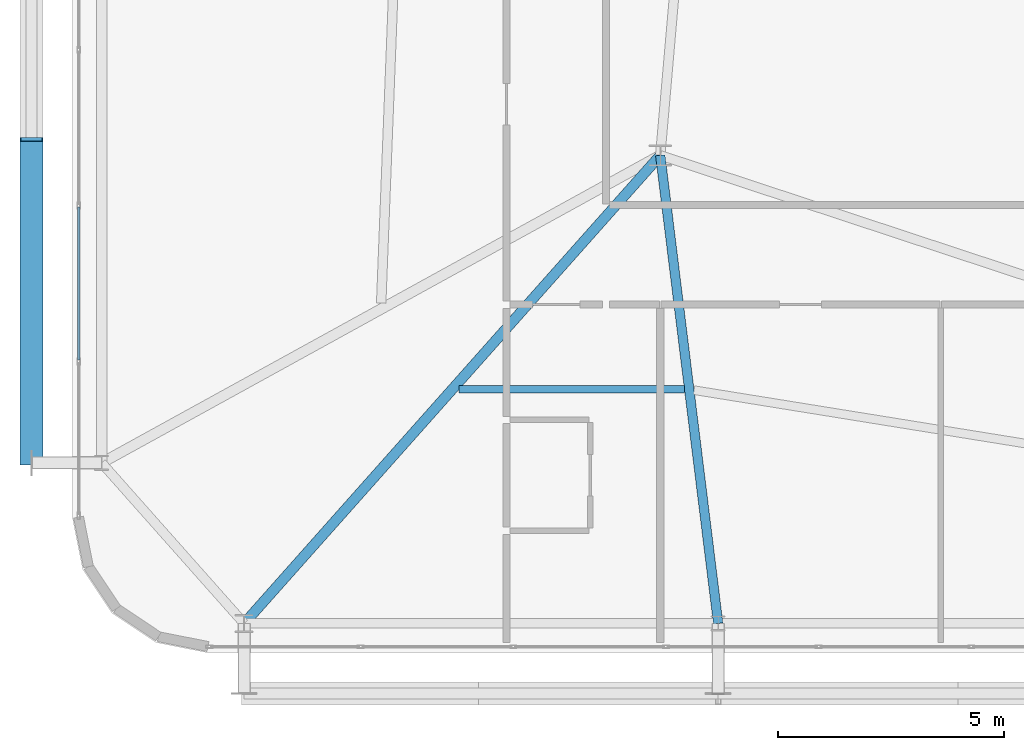
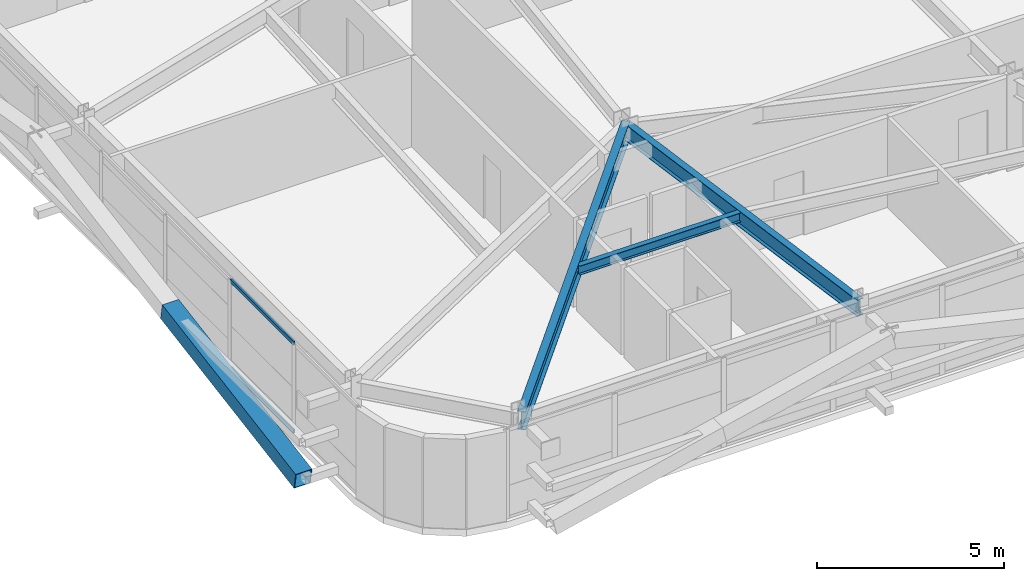
# One storey, part 7 of 58: 3 beams, 3 members, 1 element without a shape of its own.
"""IFC4 building model written with IfcOpenShell, lengths in metres."""

import ifcopenshell
import ifcopenshell.guid

model = None  # the IFC model being written
_history = None  # IfcOwnerHistory: only IFC2X3 demands one
_inside = {}  # id of a spatial element -> (the spatial element, [elements in it])
_under = {}  # id of a project, library or spatial element -> (it, [spatial elements below it])
_declared = {}  # id of a project -> (the project, [libraries it declares])
_typed = {}  # id of a type object -> (the type object, [elements of that type])
_made_of = {}  # id of a material, layer set ... -> (it, [elements and type objects made of it])


def new_model(schema):
    """Start an empty IFC model of exactly this schema.

    Asked for "IFC4X3", IfcOpenShell would pick the latest addendum, in which some entities
    have other attributes; the version numbers below select the first issue.
    IFC2X3 requires an IfcOwnerHistory on every rooted entity: one is made here for all.
    """
    global model, _history
    if schema == "IFC4X3":
        model = ifcopenshell.file(schema_version=(4, 3, 0, 0))
    else:
        model = ifcopenshell.file(schema=schema)
    _inside.clear()
    _under.clear()
    _declared.clear()
    _typed.clear()
    _made_of.clear()
    _history = None
    if model.schema == "IFC2X3":
        org = make("IfcOrganization", Name="unknown")
        user = make(
            "IfcPersonAndOrganization",
            ThePerson=make("IfcPerson", FamilyName="unknown"),
            TheOrganization=org,
        )
        app = make(
            "IfcApplication",
            ApplicationDeveloper=org,
            Version="unknown",
            ApplicationFullName="unknown",
            ApplicationIdentifier="unknown",
        )
        _history = make(
            "IfcOwnerHistory",
            OwningUser=user,
            OwningApplication=app,
            ChangeAction="ADDED",
            CreationDate=0,
        )
    return model


def make(cls, **values):
    """One entity of the class cls with the attributes given. An attribute that is None is left unset."""
    return model.create_entity(
        cls, **{name: value for name, value in values.items() if value is not None}
    )


def rooted(cls, **values):
    """An entity with a GlobalId (a new one), such as an element, a storey or a relation."""
    return make(cls, GlobalId=ifcopenshell.guid.new(), OwnerHistory=_history, **values)


def si_unit(unit_type, name, prefix=None):
    """IfcSIUnit, for example si_unit("LENGTHUNIT", "METRE", prefix="MILLI")."""
    return make("IfcSIUnit", UnitType=unit_type, Prefix=prefix, Name=name)


def assignment(units):
    """IfcUnitAssignment: the units of a project."""
    return None if units is None else make("IfcUnitAssignment", Units=units)


def point(xyz):
    """IfcCartesianPoint."""
    return None if xyz is None else make("IfcCartesianPoint", Coordinates=xyz)


def direction(xyz):
    """IfcDirection."""
    return None if xyz is None else make("IfcDirection", DirectionRatios=xyz)


def frame(location, z_axis=None, x_axis=None):
    """IfcAxis2Placement3D, a coordinate frame: its origin and axes. An axis left out is left unset."""
    return make(
        "IfcAxis2Placement3D",
        Location=point(location),
        Axis=direction(z_axis),
        RefDirection=direction(x_axis),
    )


def frame_2d(location, x_axis=None):
    """IfcAxis2Placement2D, a coordinate frame in the plane: its origin and x axis."""
    return make(
        "IfcAxis2Placement2D", Location=point(location), RefDirection=direction(x_axis)
    )


def origin():
    """The frame at (0, 0, 0) with its axes left unset."""
    return frame((0.0, 0.0, 0.0))


def origin_2d():
    """The frame at (0, 0) in the plane with its x axis left unset."""
    return frame_2d((0.0, 0.0))


def place(relative_to, where):
    """IfcLocalPlacement: puts the frame where relative to a parent placement (None: the world)."""
    return make(
        "IfcLocalPlacement", PlacementRelTo=relative_to, RelativePlacement=where
    )


def context(
    kind, dimensions, precision=None, world=None, true_north=None, identifier=None
):
    """IfcGeometricRepresentationContext, for example the 3D "Model" context."""
    return make(
        "IfcGeometricRepresentationContext",
        ContextIdentifier=identifier,
        ContextType=kind,
        CoordinateSpaceDimension=dimensions,
        Precision=precision,
        WorldCoordinateSystem=world,
        TrueNorth=true_north,
    )


def subcontext(parent, identifier, kind, view, scale=None):
    """IfcGeometricRepresentationSubContext, for example "Body" below "Model"."""
    return make(
        "IfcGeometricRepresentationSubContext",
        ContextIdentifier=identifier,
        ContextType=kind,
        ParentContext=parent,
        TargetScale=scale,
        TargetView=view,
    )


def project(units=None, contexts=None):
    """IfcProject with its units and contexts."""
    return rooted(
        "IfcProject",
        Name="project",
        RepresentationContexts=contexts,
        UnitsInContext=assignment(units),
    )


def spatial(cls, under=None, at=None, **own):
    """A site, building, storey or space (cls), placed at a placement, below another one or the project."""
    s = rooted(cls, ObjectPlacement=at, **own)
    if under is not None:
        _under.setdefault(under.id(), (under, []))[1].append(s)
    return s


def profile(cls, at=None, kind="AREA", **sizes):
    """A parametric profile (cls). Its sizes go by their IFC names, for example OverallWidth=200.0."""
    return make(cls, ProfileType=kind, Position=at, **sizes)


def hollow_rectangle(**sizes):
    """IfcRectangleHollowProfileDef."""
    return profile("IfcRectangleHollowProfileDef", **sizes)


def i_section(**sizes):
    """IfcIShapeProfileDef."""
    return profile("IfcIShapeProfileDef", **sizes)


def extrude(swept, where, along, depth):
    """IfcExtrudedAreaSolid: the profile swept, set in the frame where, extruded along a direction by depth."""
    return make(
        "IfcExtrudedAreaSolid",
        SweptArea=swept,
        Position=where,
        ExtrudedDirection=direction(along),
        Depth=depth,
    )


def shape(context_of_items, identifier, shape_type, items):
    """IfcShapeRepresentation: the items that make up one representation, for example the "Body"."""
    return make(
        "IfcShapeRepresentation",
        ContextOfItems=context_of_items,
        RepresentationIdentifier=identifier,
        RepresentationType=shape_type,
        Items=items,
    )


def source(mapping_origin, context_of_items, identifier, shape_type, items):
    """IfcRepresentationMap: a shape defined once, which mapped items show again and again."""
    return make(
        "IfcRepresentationMap",
        MappingOrigin=mapping_origin,
        MappedRepresentation=shape(context_of_items, identifier, shape_type, items),
    )


def transform(
    local_origin,
    x_axis=None,
    y_axis=None,
    z_axis=None,
    scale=None,
    scale2=None,
    scale3=None,
    uniform=True,
):
    """IfcCartesianTransformationOperator3D, or its non-uniform kind. x_axis, y_axis, z_axis: its Axis1, 2, 3."""
    if uniform:
        return make(
            "IfcCartesianTransformationOperator3D",
            Axis1=direction(x_axis),
            Axis2=direction(y_axis),
            LocalOrigin=point(local_origin),
            Scale=scale,
            Axis3=direction(z_axis),
        )
    return make(
        "IfcCartesianTransformationOperator3DnonUniform",
        Axis1=direction(x_axis),
        Axis2=direction(y_axis),
        LocalOrigin=point(local_origin),
        Scale=scale,
        Axis3=direction(z_axis),
        Scale2=scale2,
        Scale3=scale3,
    )


def mapped(mapping_source, mapping_target):
    """IfcMappedItem: shows the shape of a source again, moved by a transform."""
    return make(
        "IfcMappedItem", MappingSource=mapping_source, MappingTarget=mapping_target
    )


def material(Name=None, Category=None):
    """IfcMaterial."""
    return make("IfcMaterial", Name=Name, Category=Category)


def layer(
    of_material, thickness, ventilated=None, Name=None, Category=None, Priority=None
):
    """IfcMaterialLayer: one layer of a wall or slab, of a material (None: an air gap)."""
    return make(
        "IfcMaterialLayer",
        Material=of_material,
        LayerThickness=thickness,
        IsVentilated=ventilated,
        Name=Name,
        Category=Category,
        Priority=Priority,
    )


def layer_set(layers, Name=None):
    """IfcMaterialLayerSet."""
    return make("IfcMaterialLayerSet", MaterialLayers=layers, LayerSetName=Name)


def material_profile(
    of_material, cross_section, Name=None, Category=None, Priority=None
):
    """IfcMaterialProfile: a cross section and its material."""
    return make(
        "IfcMaterialProfile",
        Name=Name,
        Material=of_material,
        Profile=cross_section,
        Priority=Priority,
        Category=Category,
    )


def profile_set(profiles, Name=None, composite=None):
    """IfcMaterialProfileSet."""
    return make(
        "IfcMaterialProfileSet",
        Name=Name,
        MaterialProfiles=profiles,
        CompositeProfile=composite,
    )


def made_of(thing, what):
    """Note that an element or type object is made of a material, layer set ...; save() writes the relation."""
    if what is not None:
        _made_of.setdefault(what.id(), (what, []))[1].append(thing)
    return thing


def type_object(cls, material=None, **own):
    """A type object (cls), such as IfcWallType, which elements share."""
    return made_of(rooted(cls, **own), material)


def element(
    cls,
    number,
    at=None,
    inside=None,
    cuts=None,
    type_object=None,
    material=None,
    context=None,
    identifier="Body",
    shape_type=None,
    held_by="IfcProductDefinitionShape",
    body=None,
    shapes=None,
    **own,
):
    """One element of the class cls, such as IfcWall. Its Tag is "e" and its number.

    at: its placement. inside: the storey or other place that contains it. cuts: it is an
    opening in that element (IfcRelVoidsElement). A single representation is given by context,
    identifier, shape_type and body (its items); several are given by shapes. held_by: the class
    of the entity that holds the representations. save() writes the other relations.
    """
    e = rooted(cls, Tag="e%d" % number, ObjectPlacement=at, **own)
    if body is not None:
        shapes = [shape(context, identifier, shape_type, body)]
    if shapes is not None:
        e.Representation = make(held_by, Representations=shapes)
    if inside is not None:
        _inside.setdefault(inside.id(), (inside, []))[1].append(e)
    if cuts is not None:
        rooted(
            "IfcRelVoidsElement", RelatingBuildingElement=cuts, RelatedOpeningElement=e
        )
    if type_object is not None:
        _typed.setdefault(type_object.id(), (type_object, []))[1].append(e)
    return made_of(e, material)


def aggregate(whole, parts):
    """IfcRelAggregates: a whole, such as a stair, and the parts it consists of."""
    return rooted("IfcRelAggregates", RelatingObject=whole, RelatedObjects=parts)


def save(model, path):
    """Write the relations noted so far, then the file.

    IfcRelAggregates (storeys below a building ...), IfcRelContainedInSpatialStructure (elements
    in a storey), IfcRelDefinesByType, IfcRelAssociatesMaterial and IfcRelDeclares: one each for
    every whole, place, type object, material and project.
    """
    for whole, parts in _under.values():
        aggregate(whole, parts)
    for where, things in _inside.values():
        rooted(
            "IfcRelContainedInSpatialStructure",
            RelatedElements=things,
            RelatingStructure=where,
        )
    for kind, things in _typed.values():
        rooted("IfcRelDefinesByType", RelatedObjects=things, RelatingType=kind)
    for what, things in _made_of.values():
        rooted("IfcRelAssociatesMaterial", RelatedObjects=things, RelatingMaterial=what)
    for by, libraries in _declared.values():
        rooted("IfcRelDeclares", RelatingContext=by, RelatedDefinitions=libraries)
    model.write(path)


model = new_model("IFC4")

# Units and contexts
model_context = context("Model", 3, precision=1e-05, world=origin(), true_north=direction((0.0, 1.0)))
body_context = subcontext(model_context, "Body", "Model", "MODEL_VIEW")
ifc_project = project(units=[si_unit("LENGTHUNIT", "METRE"), si_unit("AREAUNIT", "SQUARE_METRE"), si_unit("VOLUMEUNIT", "CUBIC_METRE"), si_unit("PLANEANGLEUNIT", "RADIAN"), si_unit("MASSUNIT", "GRAM", prefix="KILO")], contexts=[model_context])

# Site, building, storey
site_placement = place(None, origin())
site = spatial("IfcSite", under=ifc_project, at=site_placement, CompositionType="ELEMENT")
building_placement = place(site_placement, origin())
building = spatial("IfcBuilding", under=site, at=building_placement, Name="Taldren Reach Tower", CompositionType="ELEMENT")
storey_placement = place(building_placement, frame((0.0, 0.0, 54.60009765625)))
storey = spatial("IfcBuildingStorey", under=building, at=storey_placement, Name="L16", CompositionType="ELEMENT", Elevation=54.60009765625)

# Beams
ifc_material_1 = material(Name="Steel Gr 350 (350PLUS)", Category="steel")
ifc_material_profile_1 = material_profile(ifc_material_1, i_section(OverallWidth=0.22802734375, OverallDepth=0.60205078125, WebThickness=0.010498046875, FlangeThickness=0.014892578125, at=origin_2d()), Name="610UB101")
ifc_profile_set_1 = profile_set([ifc_material_profile_1], Name="Steel Gr 350 (350PLUS)")
beam_type_1 = type_object("IfcBeamType", Name="BM-UB610B", PredefinedType="BEAM", material=ifc_profile_set_1)
shared_shape_1 = source(origin(), body_context, "Body", "SweptSolid", [
    extrude(i_section(OverallWidth=0.22802734375, OverallDepth=0.60205078125, WebThickness=0.010498046875, FlangeThickness=0.014892578125, at=origin_2d()), origin(), (0.0, 0.0, 1.0), 13.847900390625),
])
beam_1_placement = place(storey_placement, frame((18.0, 12.5, 2.62890625), z_axis=(-0.664358367375, -0.747414182164, 0.0), x_axis=(0.747414182164, -0.664358367375, 0.0)))
element("IfcBeam", 1, at=beam_1_placement, inside=storey, type_object=beam_type_1, Name="Primary floor girder B1-S1 L16", PredefinedType="BEAM", context=body_context, shape_type="MappedRepresentation", body=[
    mapped(shared_shape_1, transform((0.0, 0.0, 0.0), scale=1.0)),
])
ifc_material_profile_2 = material_profile(ifc_material_1, i_section(OverallWidth=0.208984375, OverallDepth=0.532958984375, WebThickness=0.01025390625, FlangeThickness=0.015625, at=origin_2d()), Name="530UB92.4")
ifc_profile_set_2 = profile_set([ifc_material_profile_2], Name="Steel Gr 350 (350PLUS)")
beam_type_2 = type_object("IfcBeamType", Name="BM-UB530A", PredefinedType="BEAM", material=ifc_profile_set_2)
shared_shape_2 = source(origin(), body_context, "Body", "SweptSolid", [
    extrude(i_section(OverallWidth=0.208984375, OverallDepth=0.532958984375, WebThickness=0.01025390625, FlangeThickness=0.015625, at=origin_2d()), origin(), (0.0, 0.0, 1.0), 10.428955078125),
])
beam_2_placement = place(storey_placement, frame((18.0, 12.5, 2.663330078125), z_axis=(0.122738080664, -0.992439098159, 0.0), x_axis=(0.992439098159, 0.122738080664, 0.0)))
element("IfcBeam", 2, at=beam_2_placement, inside=storey, type_object=beam_type_2, Name="Primary floor girder B1-S2 L16", PredefinedType="BEAM", context=body_context, shape_type="MappedRepresentation", body=[
    mapped(shared_shape_2, transform((0.0, 0.0, 0.0), scale=1.0)),
])
ifc_material_2 = material(Name="Steel Gr 300 (300PLUS, 300 MPa)", Category="steel")
ifc_material_profile_3 = material_profile(ifc_material_2, i_section(OverallWidth=0.166015625, OverallDepth=0.306884765625, WebThickness=0.006591796875, FlangeThickness=0.01171875, at=origin_2d()), Name="310UB46.2")
ifc_profile_set_3 = profile_set([ifc_material_profile_3], Name="Steel Gr 300 (300PLUS, 300 MPa)")
beam_type_3 = type_object("IfcBeamType", Name="JS-UB310", PredefinedType="JOIST", material=ifc_profile_set_3)
shared_shape_3 = source(origin(), body_context, "Body", "SweptSolid", [
    extrude(i_section(OverallWidth=0.166015625, OverallDepth=0.306884765625, WebThickness=0.006591796875, FlangeThickness=0.01171875, at=origin_2d()), origin(), (0.0, 0.0, 1.0), 4.982177734375),
])
beam_3_placement = place(storey_placement, frame((13.552490234375, 7.324951171875, 2.7763671875), z_axis=(1.0, 0.0, 0.0), x_axis=(0.0, 1.0, 0.0)))
element("IfcBeam", 3, at=beam_3_placement, inside=storey, type_object=beam_type_3, Name="Secondary floor joist B1 J1 L16", PredefinedType="JOIST", context=body_context, shape_type="MappedRepresentation", body=[
    mapped(shared_shape_3, transform((0.0, 0.0, 0.0), scale=1.0)),
])

# Member
ifc_material_3 = material(Name="Steel Gr 450 (C450L0)", Category="steel")
ifc_material_profile_4 = material_profile(ifc_material_3, hollow_rectangle(XDim=0.510009765625, YDim=0.510009765625, WallThickness=0.02001953125, at=origin_2d()), Name="510x510x20.0SHS")
ifc_profile_set_4 = profile_set([ifc_material_profile_4], Name="Steel Gr 450 (C450L0)")
member_type_1 = type_object("IfcMemberType", Name="MB-EXO508", PredefinedType="BRACE", material=ifc_profile_set_4)
shared_shape_4 = source(origin(), body_context, "Body", "SweptSolid", [
    extrude(hollow_rectangle(XDim=0.510009765625, YDim=0.510009765625, WallThickness=0.02001953125, at=origin_2d()), origin(), (0.0, 0.0, 1.0), 7.252685546875),
])
member_1_placement = place(storey_placement, frame((4.10009765625, 5.699951171875, 0.219970703125), z_axis=(0.0, 0.985871360071, 0.167504213054), x_axis=(-1.0, 0.0, 0.0)))
element("IfcMember", 4, at=member_1_placement, inside=storey, type_object=member_type_1, Name="Exoskeleton Diagrid Brace B1-W1 L16", PredefinedType="BRACE", context=body_context, shape_type="MappedRepresentation", body=[
    mapped(shared_shape_4, transform((0.0, 0.0, 0.0), scale=1.0)),
])

# Curtain wall, members
ifc_material_4 = material(Name="Aluminium and Low-E Glass Unitised System", Category="aluminium")
ifc_layer = layer(ifc_material_4, 0.159912109375)
ifc_layer_set = layer_set([ifc_layer], Name="Aluminium and Low-E Glass Unitised System")
curtain_wall_type = type_object("IfcCurtainWallType", Name="CW-SYS-2", PredefinedType="NOTDEFINED", material=ifc_layer_set)
curtain_wall_placement = place(storey_placement, origin())
curtain_wall = element("IfcCurtainWall", 5, at=curtain_wall_placement, inside=storey, type_object=curtain_wall_type, Name="Unitised curtain wall CW-L16-W", PredefinedType="NOTDEFINED")
ifc_material_5 = material(Name="Anodised Aluminium 6063-T6", Category="aluminium")
ifc_material_profile_5 = material_profile(ifc_material_5, hollow_rectangle(XDim=0.054931640625, YDim=0.1201171875, WallThickness=0.0029296875, at=origin_2d()), Name="ALU-120x55x3RHS")
ifc_profile_set_5 = profile_set([ifc_material_profile_5], Name="Anodised Aluminium 6063-T6")
member_type_2 = type_object("IfcMemberType", Name="CW-TRN-135", PredefinedType="USERDEFINED", material=ifc_profile_set_5)
shared_shape_5 = source(origin(), body_context, "Body", "SweptSolid", [
    extrude(hollow_rectangle(XDim=0.054931640625, YDim=0.1201171875, WallThickness=0.0029296875, at=origin_2d()), origin(), (0.0, 0.0, 1.0), 3.37939453125),
])
member_2_placement = place(storey_placement, frame((5.139892578125, 11.3564453125, 0.02734375), z_axis=(0.0, -1.0, 0.0), x_axis=(1.0, 0.0, 0.0)))
member_2 = element("IfcMember", 6, at=member_2_placement, type_object=member_type_2, Name="CW-2 transom 8.1", ObjectType="TRANSOM", PredefinedType="USERDEFINED", context=body_context, shape_type="MappedRepresentation", body=[
    mapped(shared_shape_5, transform((0.0, 0.0, 0.0), scale=1.0)),
])
member_3_placement = place(storey_placement, frame((5.139892578125, 11.3564453125, 2.90234375), z_axis=(0.0, -1.0, 0.0), x_axis=(1.0, 0.0, 0.0)))
member_3 = element("IfcMember", 7, at=member_3_placement, type_object=member_type_2, Name="CW-2 transom 8.2", ObjectType="TRANSOM", PredefinedType="USERDEFINED", context=body_context, shape_type="MappedRepresentation", body=[
    mapped(shared_shape_5, transform((0.0, 0.0, 0.0), scale=1.0)),
])
aggregate(curtain_wall, [member_2, member_3])

save(model, "model.ifc")
